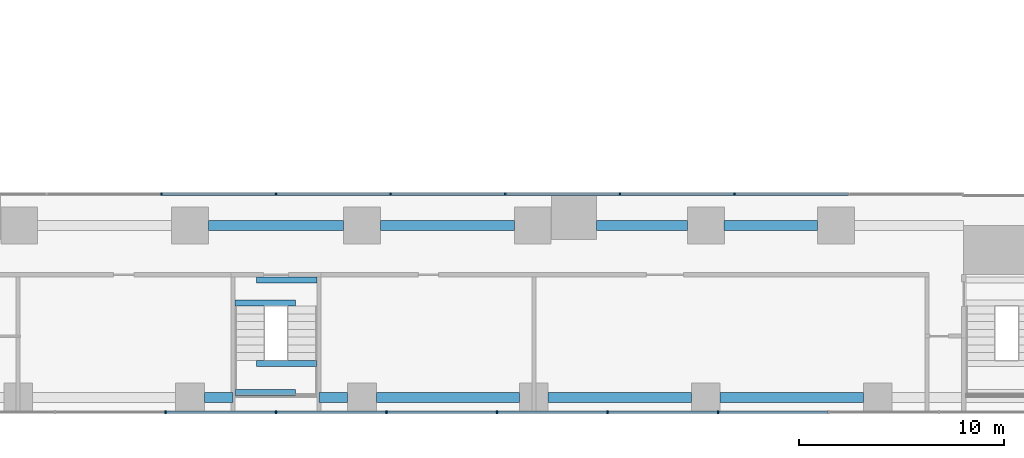
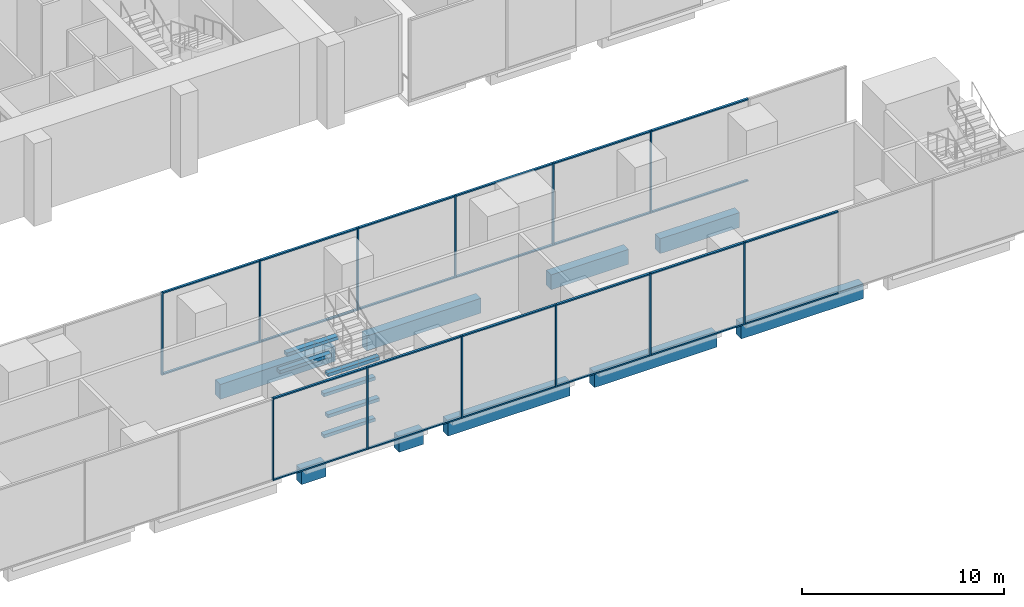
# One storey, part 4 of 24: 36 members, 15 beams, 2 elements without a shape of their own.
"""IFC4 building model written with IfcOpenShell, lengths in metres."""

from ifc_helpers import new_model, si_unit, direction, frame, origin, origin_2d, place, context, subcontext, project, spatial, rectangle, extrude, material, layer, layer_set, material_profile, profile_set, type_object, element, aggregate, save


model = new_model("IFC4")

# Units and contexts
model_context = context("Model", 3, precision=1e-05, world=origin(), true_north=direction((0.0, 1.0)))
body_context = subcontext(model_context, "Body", "Model", "MODEL_VIEW")
ifc_project = project(units=[si_unit("LENGTHUNIT", "METRE"), si_unit("AREAUNIT", "SQUARE_METRE"), si_unit("VOLUMEUNIT", "CUBIC_METRE"), si_unit("PLANEANGLEUNIT", "RADIAN"), si_unit("MASSUNIT", "GRAM", prefix="KILO")], contexts=[model_context])

# Site, building, storey
site_placement = place(None, origin())
site = spatial("IfcSite", under=ifc_project, at=site_placement, CompositionType="ELEMENT")
building_placement = place(site_placement, origin())
building = spatial("IfcBuilding", under=site, at=building_placement, Name="Marenta Gate Hotel Tower", CompositionType="ELEMENT")
storey_placement = place(building_placement, frame((0.0, 0.0, 8.0)))
storey = spatial("IfcBuildingStorey", under=building, at=storey_placement, Name="L01", CompositionType="ELEMENT", Elevation=8.0)

# Curtain wall, members
ifc_material_1 = material(Name="Tinted insulated glass in bronze anodised frame", Category="glass")
ifc_layer = layer(ifc_material_1, 0.1298828125)
ifc_layer_set = layer_set([ifc_layer], Name="Tinted insulated glass in bronze anodised frame")
curtain_wall_type = type_object("IfcCurtainWallType", Name="Podium shopfront glazing CW5", PredefinedType="NOTDEFINED", material=ifc_layer_set)
curtain_wall_1_placement = place(storey_placement, origin())
curtain_wall_1 = element("IfcCurtainWall", 1, at=curtain_wall_1_placement, inside=storey, type_object=curtain_wall_type, Name="CW5 run SB-S000", PredefinedType="NOTDEFINED")
ifc_material_2 = material(Name="Bronze anodised aluminium", Category="aluminium")
ifc_material_profile_1 = material_profile(ifc_material_2, rectangle(XDim=0.1298828125, YDim=0.080078125, at=origin_2d()), Name="Mullion CW5 80x130 bronze anodised aluminium")
ifc_profile_set_1 = profile_set([ifc_material_profile_1], Name="Bronze anodised aluminium")
member_type_1 = type_object("IfcMemberType", Name="Mullion CW5 80x130 bronze anodised aluminium", PredefinedType="MULLION", material=ifc_profile_set_1)
member_1_placement = place(storey_placement, frame((-5.39990234375, -25.9189453125, 0.0), z_axis=(0.0, 0.0, 1.0), x_axis=(0.0, 1.0, 0.0)))
member_1 = element("IfcMember", 2, at=member_1_placement, type_object=member_type_1, Name="CW5 mullion 7", PredefinedType="MULLION", context=body_context, shape_type="SweptSolid", body=[
    extrude(rectangle(XDim=0.1298828125, YDim=0.080078125, at=origin_2d()), origin(), (0.0, 0.0, 1.0), 5.0),
])
member_2_placement = place(storey_placement, frame((0.0, -25.9189453125, 0.0), z_axis=(0.0, 0.0, 1.0), x_axis=(0.0, 1.0, 0.0)))
member_2 = element("IfcMember", 3, at=member_2_placement, type_object=member_type_1, Name="CW5 mullion 8", PredefinedType="MULLION", context=body_context, shape_type="SweptSolid", body=[
    extrude(rectangle(XDim=0.1298828125, YDim=0.080078125, at=origin_2d()), origin(), (0.0, 0.0, 1.0), 5.0),
])
member_3_placement = place(storey_placement, frame((5.39990234375, -25.9189453125, 0.0), z_axis=(0.0, 0.0, 1.0), x_axis=(0.0, 1.0, 0.0)))
member_3 = element("IfcMember", 4, at=member_3_placement, type_object=member_type_1, Name="CW5 mullion 9", PredefinedType="MULLION", context=body_context, shape_type="SweptSolid", body=[
    extrude(rectangle(XDim=0.1298828125, YDim=0.080078125, at=origin_2d()), origin(), (0.0, 0.0, 1.0), 5.0),
])
member_4_placement = place(storey_placement, frame((10.800048828125, -25.9189453125, 0.0), z_axis=(0.0, 0.0, 1.0), x_axis=(0.0, 1.0, 0.0)))
member_4 = element("IfcMember", 5, at=member_4_placement, type_object=member_type_1, Name="CW5 mullion 10", PredefinedType="MULLION", context=body_context, shape_type="SweptSolid", body=[
    extrude(rectangle(XDim=0.1298828125, YDim=0.080078125, at=origin_2d()), origin(), (0.0, 0.0, 1.0), 5.0),
])
member_5_placement = place(storey_placement, frame((16.199951171875, -25.9189453125, 0.0), z_axis=(0.0, 0.0, 1.0), x_axis=(0.0, 1.0, 0.0)))
member_5 = element("IfcMember", 6, at=member_5_placement, type_object=member_type_1, Name="CW5 mullion 11", PredefinedType="MULLION", context=body_context, shape_type="SweptSolid", body=[
    extrude(rectangle(XDim=0.1298828125, YDim=0.080078125, at=origin_2d()), origin(), (0.0, 0.0, 1.0), 5.0),
])
member_6_placement = place(storey_placement, frame((21.60009765625, -25.9189453125, 0.0), z_axis=(0.0, 0.0, 1.0), x_axis=(0.0, 1.0, 0.0)))
member_6 = element("IfcMember", 7, at=member_6_placement, type_object=member_type_1, Name="CW5 mullion 12", PredefinedType="MULLION", context=body_context, shape_type="SweptSolid", body=[
    extrude(rectangle(XDim=0.1298828125, YDim=0.080078125, at=origin_2d()), origin(), (0.0, 0.0, 1.0), 5.0),
])

curtain_wall_2_placement = place(storey_placement, origin())
curtain_wall_2 = element("IfcCurtainWall", 8, at=curtain_wall_2_placement, inside=storey, type_object=curtain_wall_type, Name="CW5 run SB-N000", PredefinedType="NOTDEFINED")
member_7_placement = place(storey_placement, frame((22.39990234375, -15.255859375, 0.0), z_axis=(0.0, 0.0, 1.0), x_axis=(0.0, -1.0, 0.0)))
member_7 = element("IfcMember", 9, at=member_7_placement, type_object=member_type_1, Name="CW5 mullion 3", PredefinedType="MULLION", context=body_context, shape_type="SweptSolid", body=[
    extrude(rectangle(XDim=0.1298828125, YDim=0.080078125, at=origin_2d()), origin(), (0.0, 0.0, 1.0), 5.0),
])
member_8_placement = place(storey_placement, frame((16.800048828125, -15.255859375, 0.0), z_axis=(0.0, 0.0, 1.0), x_axis=(0.0, -1.0, 0.0)))
member_8 = element("IfcMember", 10, at=member_8_placement, type_object=member_type_1, Name="CW5 mullion 4", PredefinedType="MULLION", context=body_context, shape_type="SweptSolid", body=[
    extrude(rectangle(XDim=0.1298828125, YDim=0.080078125, at=origin_2d()), origin(), (0.0, 0.0, 1.0), 5.0),
])
member_9_placement = place(storey_placement, frame((11.199951171875, -15.255859375, 0.0), z_axis=(0.0, 0.0, 1.0), x_axis=(0.0, -1.0, 0.0)))
member_9 = element("IfcMember", 11, at=member_9_placement, type_object=member_type_1, Name="CW5 mullion 5", PredefinedType="MULLION", context=body_context, shape_type="SweptSolid", body=[
    extrude(rectangle(XDim=0.1298828125, YDim=0.080078125, at=origin_2d()), origin(), (0.0, 0.0, 1.0), 5.0),
])
member_10_placement = place(storey_placement, frame((5.60009765625, -15.255859375, 0.0), z_axis=(0.0, 0.0, 1.0), x_axis=(0.0, -1.0, 0.0)))
member_10 = element("IfcMember", 12, at=member_10_placement, type_object=member_type_1, Name="CW5 mullion 6", PredefinedType="MULLION", context=body_context, shape_type="SweptSolid", body=[
    extrude(rectangle(XDim=0.1298828125, YDim=0.080078125, at=origin_2d()), origin(), (0.0, 0.0, 1.0), 5.0),
])
member_11_placement = place(storey_placement, frame((0.0, -15.255859375, 0.0), z_axis=(0.0, 0.0, 1.0), x_axis=(0.0, -1.0, 0.0)))
member_11 = element("IfcMember", 13, at=member_11_placement, type_object=member_type_1, Name="CW5 mullion 7", PredefinedType="MULLION", context=body_context, shape_type="SweptSolid", body=[
    extrude(rectangle(XDim=0.1298828125, YDim=0.080078125, at=origin_2d()), origin(), (0.0, 0.0, 1.0), 5.0),
])
member_12_placement = place(storey_placement, frame((-5.60009765625, -15.255859375, 0.0), z_axis=(0.0, 0.0, 1.0), x_axis=(0.0, -1.0, 0.0)))
member_12 = element("IfcMember", 14, at=member_12_placement, type_object=member_type_1, Name="CW5 mullion 8", PredefinedType="MULLION", context=body_context, shape_type="SweptSolid", body=[
    extrude(rectangle(XDim=0.1298828125, YDim=0.080078125, at=origin_2d()), origin(), (0.0, 0.0, 1.0), 5.0),
])

# Beams
ifc_material_3 = material(Name="Concrete C60", Category="concrete")
ifc_material_profile_2 = material_profile(ifc_material_3, rectangle(XDim=0.5, YDim=0.89990234375, at=origin_2d()), Name="500 x 900")
ifc_profile_set_2 = profile_set([ifc_material_profile_2], Name="Concrete C60")
beam_type_1 = type_object("IfcBeamType", Name="Podium edge beam 500 x 900 C60", PredefinedType="BEAM", material=ifc_profile_set_2)
for number, where, z_axis, x_axis, name in (
    (15, (-3.5, -25.199951171875, -0.77001953125), (1.0, 0.0, 0.0), (0.0, 1.0, 0.0), "L01-PBM-5"),
    (16, (2.10009765625, -25.199951171875, -0.77001953125), (1.0, 0.0, 0.0), (0.0, 1.0, 0.0), "L01-PBM-6"),
):
    element("IfcBeam", number, at=place(storey_placement, frame(where, z_axis=z_axis, x_axis=x_axis)), inside=storey, type_object=beam_type_1, Name=name, PredefinedType="BEAM", context=body_context, shape_type="SweptSolid", body=[
        extrude(rectangle(XDim=0.5, YDim=0.89990234375, at=origin_2d()), origin(), (0.0, 0.0, 1.0), 1.39990234375),
    ])
for number, where, z_axis, x_axis, name in (
    (17, (4.89990234375, -25.199951171875, -0.77001953125), (1.0, 0.0, 0.0), (0.0, 1.0, 0.0), "L01-PBM-7"),
    (18, (13.300048828125, -25.199951171875, -0.77001953125), (1.0, 0.0, 0.0), (0.0, 1.0, 0.0), "L01-PBM-8"),
    (19, (21.699951171875, -25.199951171875, -0.77001953125), (1.0, 0.0, 0.0), (0.0, 1.0, 0.0), "L01-PBM-9"),
):
    element("IfcBeam", number, at=place(storey_placement, frame(where, z_axis=z_axis, x_axis=x_axis)), inside=storey, type_object=beam_type_1, Name=name, PredefinedType="BEAM", context=body_context, shape_type="SweptSolid", body=[
        extrude(rectangle(XDim=0.5, YDim=0.89990234375, at=origin_2d()), origin(), (0.0, 0.0, 1.0), 7.0),
    ])
beam_1_placement = place(storey_placement, frame((26.462890625, -16.800048828125, -0.77001953125), z_axis=(-1.0, 0.0, 0.0), x_axis=(0.0, -1.0, 0.0)))
element("IfcBeam", 20, at=beam_1_placement, inside=storey, type_object=beam_type_1, Name="L01-PBM-13", PredefinedType="BEAM", context=body_context, shape_type="SweptSolid", body=[
    extrude(rectangle(XDim=0.5, YDim=0.89990234375, at=origin_2d()), origin(), (0.0, 0.0, 1.0), 4.56298828125),
])
beam_2_placement = place(storey_placement, frame((20.10009765625, -16.800048828125, -0.77001953125), z_axis=(-1.0, 0.0, 0.0), x_axis=(0.0, -1.0, 0.0)))
element("IfcBeam", 21, at=beam_2_placement, inside=storey, type_object=beam_type_1, Name="L01-PBM-14", PredefinedType="BEAM", context=body_context, shape_type="SweptSolid", body=[
    extrude(rectangle(XDim=0.5, YDim=0.89990234375, at=origin_2d()), origin(), (0.0, 0.0, 1.0), 4.433837890625),
])
beam_3_placement = place(storey_placement, frame((11.646240234375, -16.800048828125, -0.77001953125), z_axis=(-1.0, 0.0, 0.0), x_axis=(0.0, -1.0, 0.0)))
element("IfcBeam", 22, at=beam_3_placement, inside=storey, type_object=beam_type_1, Name="L01-PBM-15", PredefinedType="BEAM", context=body_context, shape_type="SweptSolid", body=[
    extrude(rectangle(XDim=0.5, YDim=0.89990234375, at=origin_2d()), origin(), (0.0, 0.0, 1.0), 6.546142578125),
])
beam_4_placement = place(storey_placement, frame((3.300048828125, -16.800048828125, -0.77001953125), z_axis=(-1.0, 0.0, 0.0), x_axis=(0.0, -1.0, 0.0)))
element("IfcBeam", 23, at=beam_4_placement, inside=storey, type_object=beam_type_1, Name="L01-PBM-16", PredefinedType="BEAM", context=body_context, shape_type="SweptSolid", body=[
    extrude(rectangle(XDim=0.5, YDim=0.89990234375, at=origin_2d()), origin(), (0.0, 0.0, 1.0), 6.60009765625),
])
ifc_material_4 = material(Name="Concrete C40", Category="concrete")
ifc_material_profile_3 = material_profile(ifc_material_4, rectangle(XDim=0.300048828125, YDim=0.199951171875, at=origin_2d()), Name="300 x 200")
ifc_profile_set_3 = profile_set([ifc_material_profile_3], Name="Concrete C40")
beam_type_2 = type_object("IfcBeamType", Name="Stair landing trimmer 300 x 200 C40", PredefinedType="BEAM", material=ifc_profile_set_3)
for number, where, z_axis, x_axis, name in (
    (24, (-2.0, -24.949951171875, 0.949951171875), (1.0, 0.0, 0.0), (0.0, 1.0, 0.0), "L01-PX5-LT-1"),
    (25, (-0.949951171875, -23.5400390625, 0.949951171875), (1.0, 0.0, 0.0), (0.0, 1.0, 0.0), "L01-PX5-LT-2"),
    (26, (-2.0, -20.580078125, 2.199951171875), (1.0, 0.0, 0.0), (0.0, 1.0, 0.0), "L01-PX5-LT-3"),
    (27, (-0.949951171875, -19.449951171875, 2.199951171875), (1.0, 0.0, 0.0), (0.0, 1.0, 0.0), "L01-PX5-LT-4"),
    (28, (-2.0, -24.949951171875, 3.449951171875), (1.0, 0.0, 0.0), (0.0, 1.0, 0.0), "L01-PX5-LT-5"),
    (29, (-0.949951171875, -23.5400390625, 3.449951171875), (1.0, 0.0, 0.0), (0.0, 1.0, 0.0), "L01-PX5-LT-6"),
):
    element("IfcBeam", number, at=place(storey_placement, frame(where, z_axis=z_axis, x_axis=x_axis)), inside=storey, type_object=beam_type_2, Name=name, PredefinedType="BEAM", context=body_context, shape_type="SweptSolid", body=[
        extrude(rectangle(XDim=0.300048828125, YDim=0.199951171875, at=origin_2d()), origin(), (0.0, 0.0, 1.0), 2.949951171875),
    ])

# Member
ifc_material_5 = material(Name="Bronze anodised aluminium", Category="aluminium")
ifc_material_profile_4 = material_profile(ifc_material_5, rectangle(XDim=0.1298828125, YDim=0.080078125, at=origin_2d()), Name="Transom CW5 80x130 bronze anodised aluminium")
ifc_profile_set_4 = profile_set([ifc_material_profile_4], Name="Bronze anodised aluminium")
member_type_2 = type_object("IfcMemberType", Name="Transom CW5 80x130 bronze anodised aluminium", PredefinedType="USERDEFINED", material=ifc_profile_set_4)
member_13_placement = place(storey_placement, frame((-5.360107421875, -25.9189453125, 0.0400390625), z_axis=(1.0, 0.0, 0.0), x_axis=(0.0, 1.0, 0.0)))
member_13 = element("IfcMember", 30, at=member_13_placement, type_object=member_type_2, Name="CW5 transom 7.1", ObjectType="TRANSOM", PredefinedType="USERDEFINED", context=body_context, shape_type="SweptSolid", body=[
    extrude(rectangle(XDim=0.1298828125, YDim=0.080078125, at=origin_2d()), origin(), (0.0, 0.0, 1.0), 5.320068359375),
])

member_14_placement = place(storey_placement, frame((-5.360107421875, -25.9189453125, 4.9599609375), z_axis=(1.0, 0.0, 0.0), x_axis=(0.0, 1.0, 0.0)))
member_14 = element("IfcMember", 31, at=member_14_placement, type_object=member_type_2, Name="CW5 transom 7.2", ObjectType="TRANSOM", PredefinedType="USERDEFINED", context=body_context, shape_type="SweptSolid", body=[
    extrude(rectangle(XDim=0.1298828125, YDim=0.080078125, at=origin_2d()), origin(), (0.0, 0.0, 1.0), 5.320068359375),
])

member_15_placement = place(storey_placement, frame((0.0400390625, -25.9189453125, 0.0400390625), z_axis=(1.0, 0.0, 0.0), x_axis=(0.0, 1.0, 0.0)))
member_15 = element("IfcMember", 32, at=member_15_placement, type_object=member_type_2, Name="CW5 transom 8.1", ObjectType="TRANSOM", PredefinedType="USERDEFINED", context=body_context, shape_type="SweptSolid", body=[
    extrude(rectangle(XDim=0.1298828125, YDim=0.080078125, at=origin_2d()), origin(), (0.0, 0.0, 1.0), 5.320068359375),
])

member_16_placement = place(storey_placement, frame((0.0400390625, -25.9189453125, 4.9599609375), z_axis=(1.0, 0.0, 0.0), x_axis=(0.0, 1.0, 0.0)))
member_16 = element("IfcMember", 33, at=member_16_placement, type_object=member_type_2, Name="CW5 transom 8.2", ObjectType="TRANSOM", PredefinedType="USERDEFINED", context=body_context, shape_type="SweptSolid", body=[
    extrude(rectangle(XDim=0.1298828125, YDim=0.080078125, at=origin_2d()), origin(), (0.0, 0.0, 1.0), 5.320068359375),
])

member_17_placement = place(storey_placement, frame((5.43994140625, -25.9189453125, 0.0400390625), z_axis=(1.0, 0.0, 0.0), x_axis=(0.0, 1.0, 0.0)))
member_17 = element("IfcMember", 34, at=member_17_placement, type_object=member_type_2, Name="CW5 transom 9.1", ObjectType="TRANSOM", PredefinedType="USERDEFINED", context=body_context, shape_type="SweptSolid", body=[
    extrude(rectangle(XDim=0.1298828125, YDim=0.080078125, at=origin_2d()), origin(), (0.0, 0.0, 1.0), 5.320068359375),
])

member_18_placement = place(storey_placement, frame((5.43994140625, -25.9189453125, 4.9599609375), z_axis=(1.0, 0.0, 0.0), x_axis=(0.0, 1.0, 0.0)))
member_18 = element("IfcMember", 35, at=member_18_placement, type_object=member_type_2, Name="CW5 transom 9.2", ObjectType="TRANSOM", PredefinedType="USERDEFINED", context=body_context, shape_type="SweptSolid", body=[
    extrude(rectangle(XDim=0.1298828125, YDim=0.080078125, at=origin_2d()), origin(), (0.0, 0.0, 1.0), 5.320068359375),
])

member_19_placement = place(storey_placement, frame((10.840087890625, -25.9189453125, 0.0400390625), z_axis=(1.0, 0.0, 0.0), x_axis=(0.0, 1.0, 0.0)))
member_19 = element("IfcMember", 36, at=member_19_placement, type_object=member_type_2, Name="CW5 transom 10.1", ObjectType="TRANSOM", PredefinedType="USERDEFINED", context=body_context, shape_type="SweptSolid", body=[
    extrude(rectangle(XDim=0.1298828125, YDim=0.080078125, at=origin_2d()), origin(), (0.0, 0.0, 1.0), 5.31982421875),
])

member_20_placement = place(storey_placement, frame((10.840087890625, -25.9189453125, 4.9599609375), z_axis=(1.0, 0.0, 0.0), x_axis=(0.0, 1.0, 0.0)))
member_20 = element("IfcMember", 37, at=member_20_placement, type_object=member_type_2, Name="CW5 transom 10.2", ObjectType="TRANSOM", PredefinedType="USERDEFINED", context=body_context, shape_type="SweptSolid", body=[
    extrude(rectangle(XDim=0.1298828125, YDim=0.080078125, at=origin_2d()), origin(), (0.0, 0.0, 1.0), 5.31982421875),
])

member_21_placement = place(storey_placement, frame((16.239990234375, -25.9189453125, 0.0400390625), z_axis=(1.0, 0.0, 0.0), x_axis=(0.0, 1.0, 0.0)))
member_21 = element("IfcMember", 38, at=member_21_placement, type_object=member_type_2, Name="CW5 transom 11.1", ObjectType="TRANSOM", PredefinedType="USERDEFINED", context=body_context, shape_type="SweptSolid", body=[
    extrude(rectangle(XDim=0.1298828125, YDim=0.080078125, at=origin_2d()), origin(), (0.0, 0.0, 1.0), 5.320068359375),
])

member_22_placement = place(storey_placement, frame((16.239990234375, -25.9189453125, 4.9599609375), z_axis=(1.0, 0.0, 0.0), x_axis=(0.0, 1.0, 0.0)))
member_22 = element("IfcMember", 39, at=member_22_placement, type_object=member_type_2, Name="CW5 transom 11.2", ObjectType="TRANSOM", PredefinedType="USERDEFINED", context=body_context, shape_type="SweptSolid", body=[
    extrude(rectangle(XDim=0.1298828125, YDim=0.080078125, at=origin_2d()), origin(), (0.0, 0.0, 1.0), 5.320068359375),
])

member_23_placement = place(storey_placement, frame((21.639892578125, -25.9189453125, 0.0400390625), z_axis=(1.0, 0.0, 0.0), x_axis=(0.0, 1.0, 0.0)))
member_23 = element("IfcMember", 40, at=member_23_placement, type_object=member_type_2, Name="CW5 transom 12.1", ObjectType="TRANSOM", PredefinedType="USERDEFINED", context=body_context, shape_type="SweptSolid", body=[
    extrude(rectangle(XDim=0.1298828125, YDim=0.080078125, at=origin_2d()), origin(), (0.0, 0.0, 1.0), 5.320068359375),
])

member_24_placement = place(storey_placement, frame((21.639892578125, -25.9189453125, 4.9599609375), z_axis=(1.0, 0.0, 0.0), x_axis=(0.0, 1.0, 0.0)))
member_24 = element("IfcMember", 41, at=member_24_placement, type_object=member_type_2, Name="CW5 transom 12.2", ObjectType="TRANSOM", PredefinedType="USERDEFINED", context=body_context, shape_type="SweptSolid", body=[
    extrude(rectangle(XDim=0.1298828125, YDim=0.080078125, at=origin_2d()), origin(), (0.0, 0.0, 1.0), 5.320068359375),
])

aggregate(curtain_wall_1, [member_1, member_2, member_3, member_4, member_5, member_6, member_13, member_14, member_15, member_16, member_17, member_18, member_19, member_20, member_21, member_22, member_23, member_24])

member_25_placement = place(storey_placement, frame((27.9599609375, -15.255859375, 0.0400390625), z_axis=(-1.0, 0.0, 0.0), x_axis=(0.0, -1.0, 0.0)))
member_25 = element("IfcMember", 42, at=member_25_placement, type_object=member_type_2, Name="CW5 transom 2.1", ObjectType="TRANSOM", PredefinedType="USERDEFINED", context=body_context, shape_type="SweptSolid", body=[
    extrude(rectangle(XDim=0.1298828125, YDim=0.080078125, at=origin_2d()), origin(), (0.0, 0.0, 1.0), 5.52001953125),
])

member_26_placement = place(storey_placement, frame((27.9599609375, -15.255859375, 4.9599609375), z_axis=(-1.0, 0.0, 0.0), x_axis=(0.0, -1.0, 0.0)))
member_26 = element("IfcMember", 43, at=member_26_placement, type_object=member_type_2, Name="CW5 transom 2.2", ObjectType="TRANSOM", PredefinedType="USERDEFINED", context=body_context, shape_type="SweptSolid", body=[
    extrude(rectangle(XDim=0.1298828125, YDim=0.080078125, at=origin_2d()), origin(), (0.0, 0.0, 1.0), 5.52001953125),
])

member_27_placement = place(storey_placement, frame((22.360107421875, -15.255859375, 0.0400390625), z_axis=(-1.0, 0.0, 0.0), x_axis=(0.0, -1.0, 0.0)))
member_27 = element("IfcMember", 44, at=member_27_placement, type_object=member_type_2, Name="CW5 transom 3.1", ObjectType="TRANSOM", PredefinedType="USERDEFINED", context=body_context, shape_type="SweptSolid", body=[
    extrude(rectangle(XDim=0.1298828125, YDim=0.080078125, at=origin_2d()), origin(), (0.0, 0.0, 1.0), 5.52001953125),
])

member_28_placement = place(storey_placement, frame((22.360107421875, -15.255859375, 4.9599609375), z_axis=(-1.0, 0.0, 0.0), x_axis=(0.0, -1.0, 0.0)))
member_28 = element("IfcMember", 45, at=member_28_placement, type_object=member_type_2, Name="CW5 transom 3.2", ObjectType="TRANSOM", PredefinedType="USERDEFINED", context=body_context, shape_type="SweptSolid", body=[
    extrude(rectangle(XDim=0.1298828125, YDim=0.080078125, at=origin_2d()), origin(), (0.0, 0.0, 1.0), 5.52001953125),
])

member_29_placement = place(storey_placement, frame((16.760009765625, -15.255859375, 0.0400390625), z_axis=(-1.0, 0.0, 0.0), x_axis=(0.0, -1.0, 0.0)))
member_29 = element("IfcMember", 46, at=member_29_placement, type_object=member_type_2, Name="CW5 transom 4.1", ObjectType="TRANSOM", PredefinedType="USERDEFINED", context=body_context, shape_type="SweptSolid", body=[
    extrude(rectangle(XDim=0.1298828125, YDim=0.080078125, at=origin_2d()), origin(), (0.0, 0.0, 1.0), 5.52001953125),
])

member_30_placement = place(storey_placement, frame((16.760009765625, -15.255859375, 4.9599609375), z_axis=(-1.0, 0.0, 0.0), x_axis=(0.0, -1.0, 0.0)))
member_30 = element("IfcMember", 47, at=member_30_placement, type_object=member_type_2, Name="CW5 transom 4.2", ObjectType="TRANSOM", PredefinedType="USERDEFINED", context=body_context, shape_type="SweptSolid", body=[
    extrude(rectangle(XDim=0.1298828125, YDim=0.080078125, at=origin_2d()), origin(), (0.0, 0.0, 1.0), 5.52001953125),
])

member_31_placement = place(storey_placement, frame((11.159912109375, -15.255859375, 0.0400390625), z_axis=(-1.0, 0.0, 0.0), x_axis=(0.0, -1.0, 0.0)))
member_31 = element("IfcMember", 48, at=member_31_placement, type_object=member_type_2, Name="CW5 transom 5.1", ObjectType="TRANSOM", PredefinedType="USERDEFINED", context=body_context, shape_type="SweptSolid", body=[
    extrude(rectangle(XDim=0.1298828125, YDim=0.080078125, at=origin_2d()), origin(), (0.0, 0.0, 1.0), 5.52001953125),
])

member_32_placement = place(storey_placement, frame((11.159912109375, -15.255859375, 4.9599609375), z_axis=(-1.0, 0.0, 0.0), x_axis=(0.0, -1.0, 0.0)))
member_32 = element("IfcMember", 49, at=member_32_placement, type_object=member_type_2, Name="CW5 transom 5.2", ObjectType="TRANSOM", PredefinedType="USERDEFINED", context=body_context, shape_type="SweptSolid", body=[
    extrude(rectangle(XDim=0.1298828125, YDim=0.080078125, at=origin_2d()), origin(), (0.0, 0.0, 1.0), 5.52001953125),
])

member_33_placement = place(storey_placement, frame((5.56005859375, -15.255859375, 0.0400390625), z_axis=(-1.0, 0.0, 0.0), x_axis=(0.0, -1.0, 0.0)))
member_33 = element("IfcMember", 50, at=member_33_placement, type_object=member_type_2, Name="CW5 transom 6.1", ObjectType="TRANSOM", PredefinedType="USERDEFINED", context=body_context, shape_type="SweptSolid", body=[
    extrude(rectangle(XDim=0.1298828125, YDim=0.080078125, at=origin_2d()), origin(), (0.0, 0.0, 1.0), 5.52001953125),
])

member_34_placement = place(storey_placement, frame((5.56005859375, -15.255859375, 4.9599609375), z_axis=(-1.0, 0.0, 0.0), x_axis=(0.0, -1.0, 0.0)))
member_34 = element("IfcMember", 51, at=member_34_placement, type_object=member_type_2, Name="CW5 transom 6.2", ObjectType="TRANSOM", PredefinedType="USERDEFINED", context=body_context, shape_type="SweptSolid", body=[
    extrude(rectangle(XDim=0.1298828125, YDim=0.080078125, at=origin_2d()), origin(), (0.0, 0.0, 1.0), 5.52001953125),
])

member_35_placement = place(storey_placement, frame((-0.0400390625, -15.255859375, 0.0400390625), z_axis=(-1.0, 0.0, 0.0), x_axis=(0.0, -1.0, 0.0)))
member_35 = element("IfcMember", 52, at=member_35_placement, type_object=member_type_2, Name="CW5 transom 7.1", ObjectType="TRANSOM", PredefinedType="USERDEFINED", context=body_context, shape_type="SweptSolid", body=[
    extrude(rectangle(XDim=0.1298828125, YDim=0.080078125, at=origin_2d()), origin(), (0.0, 0.0, 1.0), 5.52001953125),
])

member_36_placement = place(storey_placement, frame((-0.0400390625, -15.255859375, 4.9599609375), z_axis=(-1.0, 0.0, 0.0), x_axis=(0.0, -1.0, 0.0)))
member_36 = element("IfcMember", 53, at=member_36_placement, type_object=member_type_2, Name="CW5 transom 7.2", ObjectType="TRANSOM", PredefinedType="USERDEFINED", context=body_context, shape_type="SweptSolid", body=[
    extrude(rectangle(XDim=0.1298828125, YDim=0.080078125, at=origin_2d()), origin(), (0.0, 0.0, 1.0), 5.52001953125),
])

aggregate(curtain_wall_2, [member_7, member_8, member_9, member_10, member_11, member_12, member_25, member_26, member_27, member_28, member_29, member_30, member_31, member_32, member_33, member_34, member_35, member_36])

save(model, "model.ifc")
